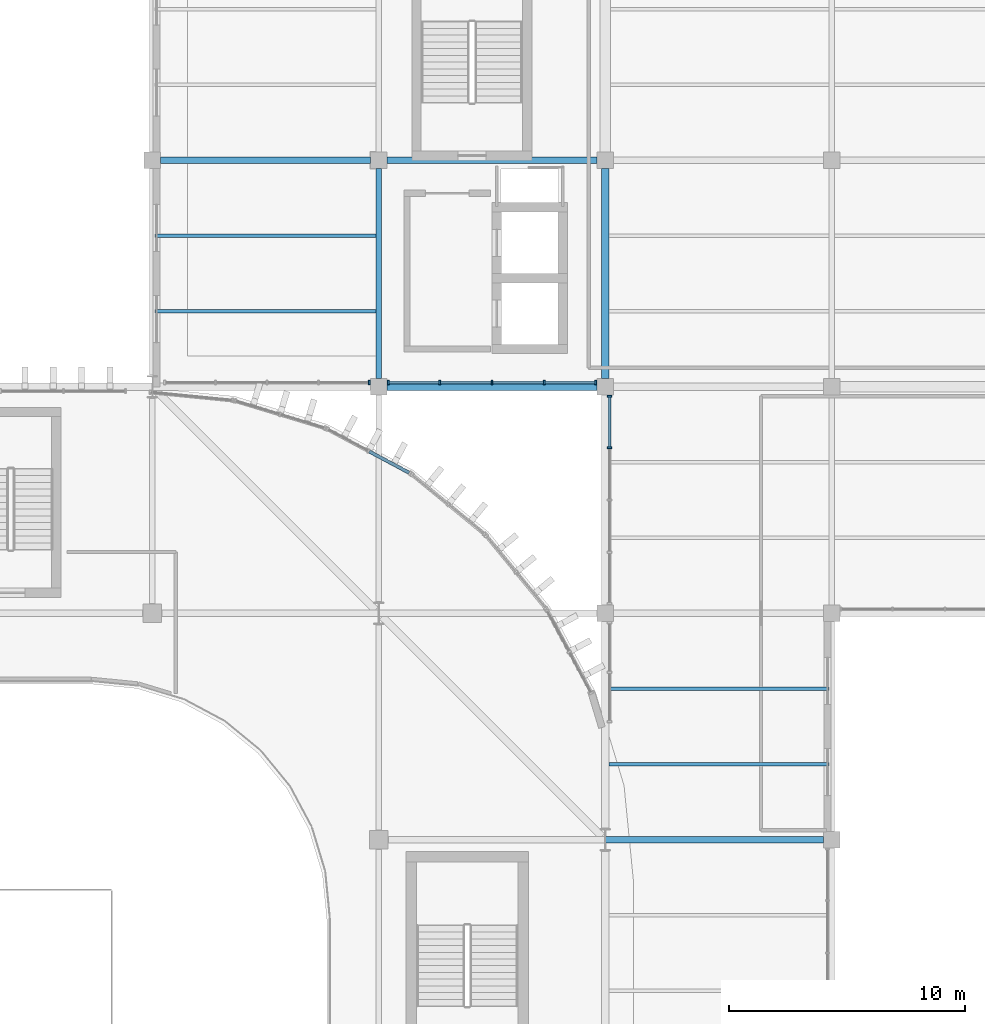
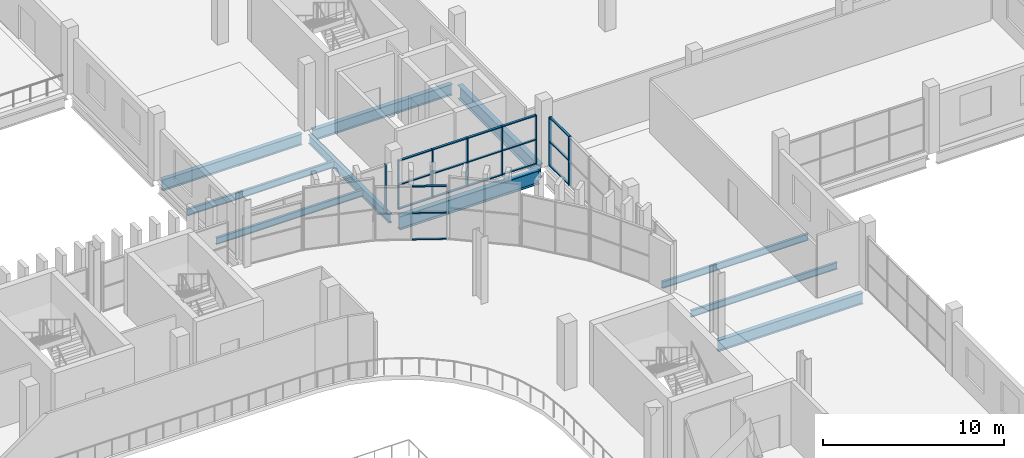
# One storey, part 28 of 75: 26 members, 10 beams, 4 elements without a shape of their own.
"""IFC4 building model written with IfcOpenShell, lengths in metres."""

from ifc_helpers import new_model, si_unit, direction, frame, origin, origin_2d, place, context, subcontext, project, spatial, rectangle, i_section, extrude, material, layer, layer_set, material_profile, profile_set, type_object, element, aggregate, save


model = new_model("IFC4")

# Units and contexts
model_context = context("Model", 3, precision=1e-05, world=origin(), true_north=direction((0.0, 1.0)))
body_context = subcontext(model_context, "Body", "Model", "MODEL_VIEW")
ifc_project = project(units=[si_unit("LENGTHUNIT", "METRE"), si_unit("AREAUNIT", "SQUARE_METRE"), si_unit("VOLUMEUNIT", "CUBIC_METRE"), si_unit("PLANEANGLEUNIT", "RADIAN"), si_unit("MASSUNIT", "GRAM", prefix="KILO")], contexts=[model_context])

# Site, building, storey
site_placement = place(None, origin())
site = spatial("IfcSite", under=ifc_project, at=site_placement, CompositionType="ELEMENT")
building_placement = place(site_placement, origin())
building = spatial("IfcBuilding", under=site, at=building_placement, Name="Caelomonte Colonnade Arena", CompositionType="ELEMENT")
storey_placement = place(building_placement, frame((0.0, 0.0, 14.10009765625)))
storey = spatial("IfcBuildingStorey", under=building, at=storey_placement, Name="L03", CompositionType="ELEMENT", Elevation=14.10009765625)

# Curtain wall, member
ifc_material_1 = material(Name="Bronze anodised aluminium and low-E glazing", Category="aluminium")
ifc_layer_1 = layer(ifc_material_1, 0.179931640625)
ifc_layer_set_1 = layer_set([ifc_layer_1], Name="Bronze anodised aluminium and low-E glazing")
curtain_wall_type_1 = type_object("IfcCurtainWallType", Name="ENV-CW-CW-L03-96-33", PredefinedType="USERDEFINED", material=ifc_layer_set_1)
curtain_wall_1_placement = place(storey_placement, origin())
curtain_wall_1 = element("IfcCurtainWall", 1, at=curtain_wall_1_placement, inside=storey, type_object=curtain_wall_type_1, Name="L03 unitized curtain wall CW-L03-1488-1154", ObjectType="UNITIZED CURTAIN WALL", PredefinedType="USERDEFINED")
ifc_material_2 = material(Name="Bronze anodised aluminium AA6063-T6", Category="aluminium")
ifc_material_profile_1 = material_profile(ifc_material_2, rectangle(XDim=0.070068359375, YDim=0.179931640625, at=origin_2d()), Name="CWM-70X180")
ifc_profile_set_1 = profile_set([ifc_material_profile_1], Name="Bronze anodised aluminium AA6063-T6")
member_type_1 = type_object("IfcMemberType", Name="ENV-CW-MULL1", PredefinedType="MULLION", material=ifc_profile_set_1)
member_1_placement = place(storey_placement, frame((153.195068359375, 115.3798828125, 0.0), z_axis=(0.0, 0.0, 1.0), x_axis=(1.0, 0.0, 0.0)))
member_1 = element("IfcMember", 2, at=member_1_placement, type_object=member_type_1, Name="CW-L03-96-33 mullion 5", PredefinedType="MULLION", context=body_context, shape_type="SweptSolid", body=[
    extrude(rectangle(XDim=0.070068359375, YDim=0.179931640625, at=origin_2d()), origin(), (0.0, 0.0, 1.0), 3.312744140625),
])
aggregate(curtain_wall_1, [member_1])

# Curtain wall, members
curtain_wall_2_placement = place(storey_placement, origin())
curtain_wall_2 = element("IfcCurtainWall", 3, at=curtain_wall_2_placement, inside=storey, type_object=curtain_wall_type_1, Name="L03 unitized curtain wall CW-L03-1584-1154", ObjectType="UNITIZED CURTAIN WALL", PredefinedType="USERDEFINED")
member_2_placement = place(storey_placement, frame((154.0048828125, 115.3798828125, 0.0), z_axis=(0.0, 0.0, 1.0), x_axis=(1.0, 0.0, 0.0)))
member_2 = element("IfcMember", 4, at=member_2_placement, type_object=member_type_1, Name="CW-L03-96-33 mullion 1", PredefinedType="MULLION", context=body_context, shape_type="SweptSolid", body=[
    extrude(rectangle(XDim=0.070068359375, YDim=0.179931640625, at=origin_2d()), origin(), (0.0, 0.0, 1.0), 3.312744140625),
])
member_3_placement = place(storey_placement, frame((156.18505859375, 115.3798828125, 0.0), z_axis=(0.0, 0.0, 1.0), x_axis=(1.0, 0.0, 0.0)))
member_3 = element("IfcMember", 5, at=member_3_placement, type_object=member_type_1, Name="CW-L03-96-33 mullion 2", PredefinedType="MULLION", context=body_context, shape_type="SweptSolid", body=[
    extrude(rectangle(XDim=0.070068359375, YDim=0.179931640625, at=origin_2d()), origin(), (0.0, 0.0, 1.0), 3.312744140625),
])
member_4_placement = place(storey_placement, frame((158.39990234375, 115.3798828125, 0.0), z_axis=(0.0, 0.0, 1.0), x_axis=(1.0, 0.0, 0.0)))
member_4 = element("IfcMember", 6, at=member_4_placement, type_object=member_type_1, Name="CW-L03-96-33 mullion 3", PredefinedType="MULLION", context=body_context, shape_type="SweptSolid", body=[
    extrude(rectangle(XDim=0.070068359375, YDim=0.179931640625, at=origin_2d()), origin(), (0.0, 0.0, 1.0), 3.312744140625),
])
member_5_placement = place(storey_placement, frame((160.614990234375, 115.3798828125, 0.0), z_axis=(0.0, 0.0, 1.0), x_axis=(1.0, 0.0, 0.0)))
member_5 = element("IfcMember", 7, at=member_5_placement, type_object=member_type_1, Name="CW-L03-96-33 mullion 4", PredefinedType="MULLION", context=body_context, shape_type="SweptSolid", body=[
    extrude(rectangle(XDim=0.070068359375, YDim=0.179931640625, at=origin_2d()), origin(), (0.0, 0.0, 1.0), 3.312744140625),
])
member_6_placement = place(storey_placement, frame((162.794921875, 115.3798828125, 0.0), z_axis=(0.0, 0.0, 1.0), x_axis=(1.0, 0.0, 0.0)))
member_6 = element("IfcMember", 8, at=member_6_placement, type_object=member_type_1, Name="CW-L03-96-33 mullion 5", PredefinedType="MULLION", context=body_context, shape_type="SweptSolid", body=[
    extrude(rectangle(XDim=0.070068359375, YDim=0.179931640625, at=origin_2d()), origin(), (0.0, 0.0, 1.0), 3.312744140625),
])

curtain_wall_3_placement = place(storey_placement, origin())
curtain_wall_3 = element("IfcCurtainWall", 9, at=curtain_wall_3_placement, inside=storey, type_object=curtain_wall_type_1, Name="L03 unitized curtain wall CW-L03-1634-1104", ObjectType="UNITIZED CURTAIN WALL", PredefinedType="USERDEFINED")
member_7_placement = place(storey_placement, frame((163.3798828125, 114.794921875, 0.0), z_axis=(0.0, 0.0, 1.0), x_axis=(0.0, -1.0, 0.0)))
member_7 = element("IfcMember", 10, at=member_7_placement, type_object=member_type_1, Name="CW-L03-96-33 mullion 1", PredefinedType="MULLION", context=body_context, shape_type="SweptSolid", body=[
    extrude(rectangle(XDim=0.070068359375, YDim=0.179931640625, at=origin_2d()), origin(), (0.0, 0.0, 1.0), 3.312744140625),
])
member_8_placement = place(storey_placement, frame((163.3798828125, 112.614990234375, 0.0), z_axis=(0.0, 0.0, 1.0), x_axis=(0.0, -1.0, 0.0)))
member_8 = element("IfcMember", 11, at=member_8_placement, type_object=member_type_1, Name="CW-L03-96-33 mullion 2", PredefinedType="MULLION", context=body_context, shape_type="SweptSolid", body=[
    extrude(rectangle(XDim=0.070068359375, YDim=0.179931640625, at=origin_2d()), origin(), (0.0, 0.0, 1.0), 3.312744140625),
])

# Member
ifc_material_profile_2 = material_profile(ifc_material_2, rectangle(XDim=0.070068359375, YDim=0.139892578125, at=origin_2d()), Name="CWT-70X140")
ifc_profile_set_2 = profile_set([ifc_material_profile_2], Name="Bronze anodised aluminium AA6063-T6")
member_type_2 = type_object("IfcMemberType", Name="ENV-CW-TRAN1", PredefinedType="USERDEFINED", material=ifc_profile_set_2)
member_9_placement = place(storey_placement, frame((154.0400390625, 115.3798828125, 0.034912109375), z_axis=(1.0, 0.0, 0.0), x_axis=(0.0, 0.0, 1.0)))
member_9 = element("IfcMember", 12, at=member_9_placement, type_object=member_type_2, Name="CW-L03-96-33 transom 1.1", ObjectType="TRANSOM", PredefinedType="USERDEFINED", context=body_context, shape_type="SweptSolid", body=[
    extrude(rectangle(XDim=0.070068359375, YDim=0.139892578125, at=origin_2d()), origin(), (0.0, 0.0, 1.0), 2.10986328125),
])

member_10_placement = place(storey_placement, frame((154.0400390625, 115.3798828125, 1.65625), z_axis=(1.0, 0.0, 0.0), x_axis=(0.0, 0.0, 1.0)))
member_10 = element("IfcMember", 13, at=member_10_placement, type_object=member_type_2, Name="CW-L03-96-33 transom 1.2", ObjectType="TRANSOM", PredefinedType="USERDEFINED", context=body_context, shape_type="SweptSolid", body=[
    extrude(rectangle(XDim=0.070068359375, YDim=0.139892578125, at=origin_2d()), origin(), (0.0, 0.0, 1.0), 2.10986328125),
])

member_11_placement = place(storey_placement, frame((154.0400390625, 115.3798828125, 3.277587890625), z_axis=(1.0, 0.0, 0.0), x_axis=(0.0, 0.0, 1.0)))
member_11 = element("IfcMember", 14, at=member_11_placement, type_object=member_type_2, Name="CW-L03-96-33 transom 1.3", ObjectType="TRANSOM", PredefinedType="USERDEFINED", context=body_context, shape_type="SweptSolid", body=[
    extrude(rectangle(XDim=0.070068359375, YDim=0.139892578125, at=origin_2d()), origin(), (0.0, 0.0, 1.0), 2.10986328125),
])

member_12_placement = place(storey_placement, frame((156.219970703125, 115.3798828125, 0.034912109375), z_axis=(1.0, 0.0, 0.0), x_axis=(0.0, 0.0, 1.0)))
member_12 = element("IfcMember", 15, at=member_12_placement, type_object=member_type_2, Name="CW-L03-96-33 transom 2.1", ObjectType="TRANSOM", PredefinedType="USERDEFINED", context=body_context, shape_type="SweptSolid", body=[
    extrude(rectangle(XDim=0.070068359375, YDim=0.139892578125, at=origin_2d()), origin(), (0.0, 0.0, 1.0), 2.14501953125),
])

member_13_placement = place(storey_placement, frame((156.219970703125, 115.3798828125, 1.65625), z_axis=(1.0, 0.0, 0.0), x_axis=(0.0, 0.0, 1.0)))
member_13 = element("IfcMember", 16, at=member_13_placement, type_object=member_type_2, Name="CW-L03-96-33 transom 2.2", ObjectType="TRANSOM", PredefinedType="USERDEFINED", context=body_context, shape_type="SweptSolid", body=[
    extrude(rectangle(XDim=0.070068359375, YDim=0.139892578125, at=origin_2d()), origin(), (0.0, 0.0, 1.0), 2.14501953125),
])

member_14_placement = place(storey_placement, frame((156.219970703125, 115.3798828125, 3.277587890625), z_axis=(1.0, 0.0, 0.0), x_axis=(0.0, 0.0, 1.0)))
member_14 = element("IfcMember", 17, at=member_14_placement, type_object=member_type_2, Name="CW-L03-96-33 transom 2.3", ObjectType="TRANSOM", PredefinedType="USERDEFINED", context=body_context, shape_type="SweptSolid", body=[
    extrude(rectangle(XDim=0.070068359375, YDim=0.139892578125, at=origin_2d()), origin(), (0.0, 0.0, 1.0), 2.14501953125),
])

member_15_placement = place(storey_placement, frame((158.43505859375, 115.3798828125, 0.034912109375), z_axis=(1.0, 0.0, 0.0), x_axis=(0.0, 0.0, 1.0)))
member_15 = element("IfcMember", 18, at=member_15_placement, type_object=member_type_2, Name="CW-L03-96-33 transom 3.1", ObjectType="TRANSOM", PredefinedType="USERDEFINED", context=body_context, shape_type="SweptSolid", body=[
    extrude(rectangle(XDim=0.070068359375, YDim=0.139892578125, at=origin_2d()), origin(), (0.0, 0.0, 1.0), 2.14501953125),
])

member_16_placement = place(storey_placement, frame((158.43505859375, 115.3798828125, 1.65625), z_axis=(1.0, 0.0, 0.0), x_axis=(0.0, 0.0, 1.0)))
member_16 = element("IfcMember", 19, at=member_16_placement, type_object=member_type_2, Name="CW-L03-96-33 transom 3.2", ObjectType="TRANSOM", PredefinedType="USERDEFINED", context=body_context, shape_type="SweptSolid", body=[
    extrude(rectangle(XDim=0.070068359375, YDim=0.139892578125, at=origin_2d()), origin(), (0.0, 0.0, 1.0), 2.14501953125),
])

member_17_placement = place(storey_placement, frame((158.43505859375, 115.3798828125, 3.277587890625), z_axis=(1.0, 0.0, 0.0), x_axis=(0.0, 0.0, 1.0)))
member_17 = element("IfcMember", 20, at=member_17_placement, type_object=member_type_2, Name="CW-L03-96-33 transom 3.3", ObjectType="TRANSOM", PredefinedType="USERDEFINED", context=body_context, shape_type="SweptSolid", body=[
    extrude(rectangle(XDim=0.070068359375, YDim=0.139892578125, at=origin_2d()), origin(), (0.0, 0.0, 1.0), 2.14501953125),
])

member_18_placement = place(storey_placement, frame((160.64990234375, 115.3798828125, 0.034912109375), z_axis=(1.0, 0.0, 0.0), x_axis=(0.0, 0.0, 1.0)))
member_18 = element("IfcMember", 21, at=member_18_placement, type_object=member_type_2, Name="CW-L03-96-33 transom 4.1", ObjectType="TRANSOM", PredefinedType="USERDEFINED", context=body_context, shape_type="SweptSolid", body=[
    extrude(rectangle(XDim=0.070068359375, YDim=0.139892578125, at=origin_2d()), origin(), (0.0, 0.0, 1.0), 2.110107421875),
])

member_19_placement = place(storey_placement, frame((160.64990234375, 115.3798828125, 1.65625), z_axis=(1.0, 0.0, 0.0), x_axis=(0.0, 0.0, 1.0)))
member_19 = element("IfcMember", 22, at=member_19_placement, type_object=member_type_2, Name="CW-L03-96-33 transom 4.2", ObjectType="TRANSOM", PredefinedType="USERDEFINED", context=body_context, shape_type="SweptSolid", body=[
    extrude(rectangle(XDim=0.070068359375, YDim=0.139892578125, at=origin_2d()), origin(), (0.0, 0.0, 1.0), 2.110107421875),
])

member_20_placement = place(storey_placement, frame((160.64990234375, 115.3798828125, 3.277587890625), z_axis=(1.0, 0.0, 0.0), x_axis=(0.0, 0.0, 1.0)))
member_20 = element("IfcMember", 23, at=member_20_placement, type_object=member_type_2, Name="CW-L03-96-33 transom 4.3", ObjectType="TRANSOM", PredefinedType="USERDEFINED", context=body_context, shape_type="SweptSolid", body=[
    extrude(rectangle(XDim=0.070068359375, YDim=0.139892578125, at=origin_2d()), origin(), (0.0, 0.0, 1.0), 2.110107421875),
])

aggregate(curtain_wall_2, [member_2, member_3, member_4, member_5, member_6, member_9, member_10, member_11, member_12, member_13, member_14, member_15, member_16, member_17, member_18, member_19, member_20])

member_21_placement = place(storey_placement, frame((163.3798828125, 114.760009765625, 0.034912109375), z_axis=(0.0, -1.0, 0.0), x_axis=(0.0, 0.0, 1.0)))
member_21 = element("IfcMember", 24, at=member_21_placement, type_object=member_type_2, Name="CW-L03-96-33 transom 1.1", ObjectType="TRANSOM", PredefinedType="USERDEFINED", context=body_context, shape_type="SweptSolid", body=[
    extrude(rectangle(XDim=0.070068359375, YDim=0.139892578125, at=origin_2d()), origin(), (0.0, 0.0, 1.0), 2.110107421875),
])

member_22_placement = place(storey_placement, frame((163.3798828125, 114.760009765625, 1.65625), z_axis=(0.0, -1.0, 0.0), x_axis=(0.0, 0.0, 1.0)))
member_22 = element("IfcMember", 25, at=member_22_placement, type_object=member_type_2, Name="CW-L03-96-33 transom 1.2", ObjectType="TRANSOM", PredefinedType="USERDEFINED", context=body_context, shape_type="SweptSolid", body=[
    extrude(rectangle(XDim=0.070068359375, YDim=0.139892578125, at=origin_2d()), origin(), (0.0, 0.0, 1.0), 2.110107421875),
])

member_23_placement = place(storey_placement, frame((163.3798828125, 114.760009765625, 3.277587890625), z_axis=(0.0, -1.0, 0.0), x_axis=(0.0, 0.0, 1.0)))
member_23 = element("IfcMember", 26, at=member_23_placement, type_object=member_type_2, Name="CW-L03-96-33 transom 1.3", ObjectType="TRANSOM", PredefinedType="USERDEFINED", context=body_context, shape_type="SweptSolid", body=[
    extrude(rectangle(XDim=0.070068359375, YDim=0.139892578125, at=origin_2d()), origin(), (0.0, 0.0, 1.0), 2.110107421875),
])

aggregate(curtain_wall_3, [member_7, member_8, member_21, member_22, member_23])

# Curtain wall, members
ifc_layer_2 = layer(ifc_material_1, 0.179931640625)
ifc_layer_set_2 = layer_set([ifc_layer_2], Name="Bronze anodised aluminium and low-E glazing")
curtain_wall_type_2 = type_object("IfcCurtainWallType", Name="ENV-CW-CW-L03-44-36", PredefinedType="USERDEFINED", material=ifc_layer_set_2)
curtain_wall_4_placement = place(storey_placement, origin())
curtain_wall_4 = element("IfcCurtainWall", 27, at=curtain_wall_4_placement, inside=storey, type_object=curtain_wall_type_2, Name="L03 unitized curtain wall CW-L03-1532-1125", ObjectType="UNITIZED CURTAIN WALL", PredefinedType="USERDEFINED")
member_24_placement = place(storey_placement, frame((154.88525390625, 111.553955078125, 0.034912109375), z_axis=(-0.881896914799, 0.471442288799, 0.0), x_axis=(0.0, 0.0, 1.0)))
member_24 = element("IfcMember", 28, at=member_24_placement, type_object=member_type_2, Name="CW-L03-44-36 transom 1.1", ObjectType="TRANSOM", PredefinedType="USERDEFINED", context=body_context, shape_type="SweptSolid", body=[
    extrude(rectangle(XDim=0.070068359375, YDim=0.139892578125, at=origin_2d()), origin(), (0.0, 0.0, 1.0), 1.91357421875),
])
member_25_placement = place(storey_placement, frame((154.88525390625, 111.553955078125, 1.81884765625), z_axis=(-0.881896914799, 0.471442288799, 0.0), x_axis=(0.0, 0.0, 1.0)))
member_25 = element("IfcMember", 29, at=member_25_placement, type_object=member_type_2, Name="CW-L03-44-36 transom 1.2", ObjectType="TRANSOM", PredefinedType="USERDEFINED", context=body_context, shape_type="SweptSolid", body=[
    extrude(rectangle(XDim=0.070068359375, YDim=0.139892578125, at=origin_2d()), origin(), (0.0, 0.0, 1.0), 1.91357421875),
])
member_26_placement = place(storey_placement, frame((154.88525390625, 111.553955078125, 3.602783203125), z_axis=(-0.881896914799, 0.471442288799, 0.0), x_axis=(0.0, 0.0, 1.0)))
member_26 = element("IfcMember", 30, at=member_26_placement, type_object=member_type_2, Name="CW-L03-44-36 transom 1.3", ObjectType="TRANSOM", PredefinedType="USERDEFINED", context=body_context, shape_type="SweptSolid", body=[
    extrude(rectangle(XDim=0.070068359375, YDim=0.139892578125, at=origin_2d()), origin(), (0.0, 0.0, 1.0), 1.91357421875),
])
aggregate(curtain_wall_4, [member_24, member_25, member_26])

# Beams
ifc_material_3 = material(Name="Wide-flange steel ASTM A992 Grade 50", Category="steel")
ifc_material_profile_3 = material_profile(ifc_material_3, i_section(OverallWidth=0.307861328125, OverallDepth=0.927001953125, WebThickness=0.019287109375, FlangeThickness=0.031982421875, FilletRadius=0.020263671875, at=origin_2d()), Name="W36X194")
ifc_profile_set_3 = profile_set([ifc_material_profile_3], Name="Wide-flange steel ASTM A992 Grade 50")
beam_type_1 = type_object("IfcBeamType", Name="STR-BM-EAVES2", PredefinedType="SPANDREL", material=ifc_profile_set_3)
for number, where, z_axis, x_axis, name in (
    (31, (153.94189453125, 115.199951171875, -0.74365234375), (1.0, 0.0, 0.0), (0.0, 1.0, 0.0), "L03 girder BMX-L03-1536-1152"),
    (32, (163.199951171875, 115.5419921875, -0.74365234375), (0.0, 1.0, 0.0), (-1.0, 0.0, 0.0), "L03 girder BMY-L03-1632-1152"),
):
    element("IfcBeam", number, at=place(storey_placement, frame(where, z_axis=z_axis, x_axis=x_axis)), inside=storey, type_object=beam_type_1, Name=name, PredefinedType="SPANDREL", context=body_context, shape_type="SweptSolid", body=[
        extrude(i_section(OverallWidth=0.307861328125, OverallDepth=0.927001953125, WebThickness=0.019287109375, FlangeThickness=0.031982421875, FilletRadius=0.020263671875, at=origin_2d()), origin(), (0.0, 0.0, 1.0), 8.916015625),
    ])
ifc_material_profile_4 = material_profile(ifc_material_3, i_section(OverallWidth=0.228271484375, OverallDepth=0.607177734375, WebThickness=0.01123046875, FlangeThickness=0.017333984375, FilletRadius=0.0126953125, at=origin_2d()), Name="W24X76")
ifc_profile_set_4 = profile_set([ifc_material_profile_4], Name="Wide-flange steel ASTM A992 Grade 50")
beam_type_2 = type_object("IfcBeamType", Name="STR-BM-GIRD24", PredefinedType="BEAM", material=ifc_profile_set_4)
beam_1_placement = place(storey_placement, frame((153.60009765625, 115.5419921875, -0.58349609375), z_axis=(0.0, 1.0, 0.0), x_axis=(-1.0, 0.0, 0.0)))
element("IfcBeam", 33, at=beam_1_placement, inside=storey, type_object=beam_type_2, Name="L03 girder BMY-L03-1536-1152", PredefinedType="BEAM", context=body_context, shape_type="SweptSolid", body=[
    extrude(i_section(OverallWidth=0.228271484375, OverallDepth=0.607177734375, WebThickness=0.01123046875, FlangeThickness=0.017333984375, FilletRadius=0.0126953125, at=origin_2d()), origin(), (0.0, 0.0, 1.0), 8.916015625),
])
ifc_material_profile_5 = material_profile(ifc_material_3, i_section(OverallWidth=0.265380859375, OverallDepth=0.75439453125, WebThickness=0.01318359375, FlangeThickness=0.01708984375, FilletRadius=0.0166015625, at=origin_2d()), Name="W30X99")
ifc_profile_set_5 = profile_set([ifc_material_profile_5], Name="Wide-flange steel ASTM A992 Grade 50")
beam_type_3 = type_object("IfcBeamType", Name="STR-BM-GIRD30B", PredefinedType="BEAM", material=ifc_profile_set_5)
beam_2_placement = place(storey_placement, frame((163.2119140625, 96.0, -0.6572265625), z_axis=(1.0, 0.0, 0.0), x_axis=(0.0, 1.0, 0.0)))
element("IfcBeam", 34, at=beam_2_placement, inside=storey, type_object=beam_type_3, Name="L03 girder BMX-L03-1632-0960", PredefinedType="BEAM", context=body_context, shape_type="SweptSolid", body=[
    extrude(i_section(OverallWidth=0.265380859375, OverallDepth=0.75439453125, WebThickness=0.01318359375, FlangeThickness=0.01708984375, FilletRadius=0.0166015625, at=origin_2d()), origin(), (0.0, 0.0, 1.0), 9.24609375),
])
for number, where, z_axis, x_axis, name in (
    (35, (144.342041015625, 124.800048828125, -0.6572265625), (1.0, 0.0, 0.0), (0.0, 1.0, 0.0), "L03 girder BMX-L03-1440-1248"),
    (36, (153.94189453125, 124.800048828125, -0.6572265625), (1.0, 0.0, 0.0), (0.0, 1.0, 0.0), "L03 girder BMX-L03-1536-1248"),
):
    element("IfcBeam", number, at=place(storey_placement, frame(where, z_axis=z_axis, x_axis=x_axis)), inside=storey, type_object=beam_type_3, Name=name, PredefinedType="BEAM", context=body_context, shape_type="SweptSolid", body=[
        extrude(i_section(OverallWidth=0.265380859375, OverallDepth=0.75439453125, WebThickness=0.01318359375, FlangeThickness=0.01708984375, FilletRadius=0.0166015625, at=origin_2d()), origin(), (0.0, 0.0, 1.0), 8.916015625),
    ])
ifc_material_profile_6 = material_profile(ifc_material_3, i_section(OverallWidth=0.15283203125, OverallDepth=0.45458984375, WebThickness=0.008056640625, FlangeThickness=0.01318359375, FilletRadius=0.01025390625, at=origin_2d()), Name="W18X40")
ifc_profile_set_6 = profile_set([ifc_material_profile_6], Name="Wide-flange steel ASTM A992 Grade 50")
beam_type_4 = type_object("IfcBeamType", Name="STR-BM-JOIST18B", PredefinedType="JOIST", material=ifc_profile_set_6)
for number, where, z_axis, x_axis, name in (
    (37, (144.109130859375, 118.39990234375, -0.50732421875), (1.0, 0.0, 0.0), (0.0, 1.0, 0.0), "L03 secondary joist 1"),
    (38, (144.109130859375, 121.60009765625, -0.50732421875), (1.0, 0.0, 0.0), (0.0, 1.0, 0.0), "L03 secondary joist 2"),
):
    element("IfcBeam", number, at=place(storey_placement, frame(where, z_axis=z_axis, x_axis=x_axis)), inside=storey, type_object=beam_type_4, Name=name, PredefinedType="JOIST", context=body_context, shape_type="SweptSolid", body=[
        extrude(i_section(OverallWidth=0.15283203125, OverallDepth=0.45458984375, WebThickness=0.008056640625, FlangeThickness=0.01318359375, FilletRadius=0.01025390625, at=origin_2d()), origin(), (0.0, 0.0, 1.0), 9.381591796875),
    ])
for number, where, z_axis, x_axis, name in (
    (39, (163.348876953125, 99.199951171875, -0.50732421875), (1.0, 0.0, 0.0), (0.0, 1.0, 0.0), "L03 secondary joist 1"),
    (40, (163.348876953125, 102.39990234375, -0.50732421875), (1.0, 0.0, 0.0), (0.0, 1.0, 0.0), "L03 secondary joist 2"),
):
    element("IfcBeam", number, at=place(storey_placement, frame(where, z_axis=z_axis, x_axis=x_axis)), inside=storey, type_object=beam_type_4, Name=name, PredefinedType="JOIST", context=body_context, shape_type="SweptSolid", body=[
        extrude(i_section(OverallWidth=0.15283203125, OverallDepth=0.45458984375, WebThickness=0.008056640625, FlangeThickness=0.01318359375, FilletRadius=0.01025390625, at=origin_2d()), origin(), (0.0, 0.0, 1.0), 9.342041015625),
    ])

save(model, "model.ifc")
